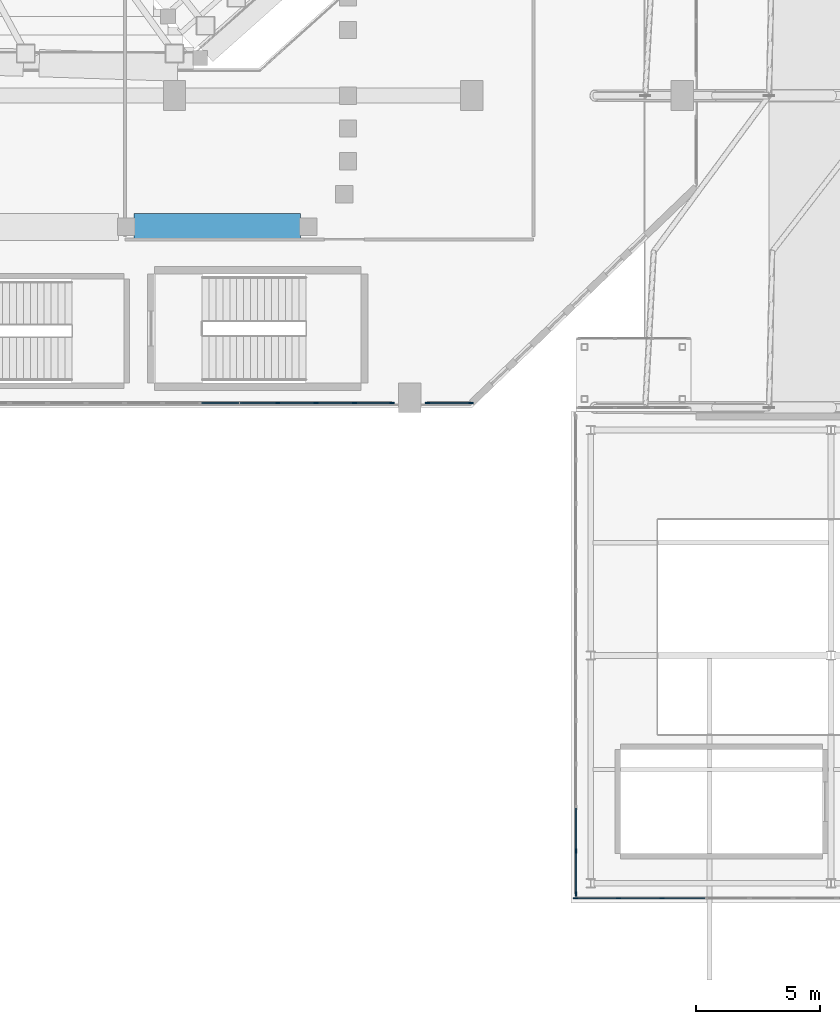
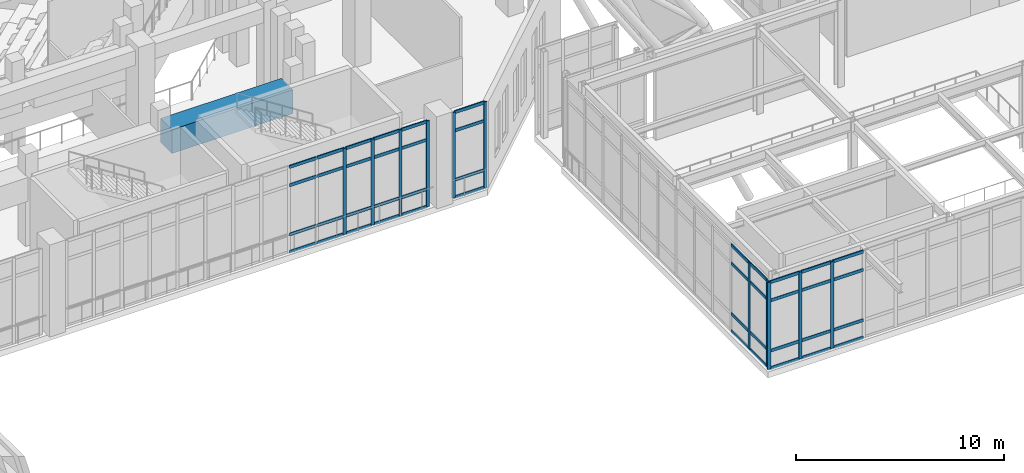
# One storey, part 33 of 159: 55 members, 1 beam, 4 elements without a shape of their own.
"""IFC4 building model written with IfcOpenShell, lengths in metres."""

from ifc_helpers import new_model, si_unit, derived_unit, direction, frame, origin, origin_2d, place, context, subcontext, project, spatial, rectangle, extrude, material, layer, layer_set, material_profile, profile_set, type_object, element, aggregate, save


model = new_model("IFC4")

# Units and contexts
model_context = context("Model", 3, precision=1e-05, world=origin(), true_north=direction((0.0, 1.0)))
body_context = subcontext(model_context, "Body", "Model", "MODEL_VIEW")
ifc_project = project(units=[si_unit("LENGTHUNIT", "METRE"), si_unit("AREAUNIT", "SQUARE_METRE"), si_unit("VOLUMEUNIT", "CUBIC_METRE"), si_unit("PLANEANGLEUNIT", "RADIAN"), si_unit("MASSUNIT", "GRAM", prefix="KILO"), derived_unit("THERMALTRANSMITTANCEUNIT", [(si_unit("MASSUNIT", "GRAM", prefix="KILO"), 1), (si_unit("TIMEUNIT", "SECOND"), -3), (si_unit("THERMODYNAMICTEMPERATUREUNIT", "KELVIN"), -1)])], contexts=[model_context])

# Site, building, storey
site_placement = place(None, origin())
site = spatial("IfcSite", under=ifc_project, at=site_placement, CompositionType="ELEMENT")
building_placement = place(site_placement, origin())
building = spatial("IfcBuilding", under=site, at=building_placement, Name="Valcora Ridge Arena", CompositionType="ELEMENT")
storey_placement = place(building_placement, frame((0.0, 0.0, 6.0)))
storey = spatial("IfcBuildingStorey", under=building, at=storey_placement, Name="L01", CompositionType="ELEMENT", Elevation=6.0)

# Beam
ifc_material_1 = material(Name="Concrete C45/55", Category="concrete")
ifc_material_profile_1 = material_profile(ifc_material_1, rectangle(XDim=1.10009765625, YDim=1.39990234375, at=origin_2d()), Name="RC 1100x1400")
ifc_profile_set_1 = profile_set([ifc_material_profile_1], Name="Concrete C45/55")
beam_type = type_object("IfcBeamType", Name="TY-BEAM-RKR-URING-1200", PredefinedType="USERDEFINED", material=ifc_profile_set_1)
beam_placement = place(storey_placement, frame((80.3701171875, 27.300048828125, 3.47509765625), z_axis=(1.0, 0.0, 0.0), x_axis=(0.0, 1.0, 0.0)))
element("IfcBeam", 1, at=beam_placement, inside=storey, type_object=beam_type, Name="RKR-URING-1200 BEM-RU2-RKR-URING-1200-0008", ObjectType="RAKER", PredefinedType="USERDEFINED", context=body_context, shape_type="SweptSolid", body=[
    extrude(rectangle(XDim=1.10009765625, YDim=1.39990234375, at=origin_2d()), origin(), (0.0, 0.0, 1.0), 6.7099609375),
])

# Curtain wall, members
ifc_material_2 = material(Name="Anodised dark bronze architectural aluminium 6063-T6", Category="aluminium")
ifc_layer_1 = layer(ifc_material_2, 0.179931640625, Name="Anodised dark bronze architectural aluminium 6063-T6")
ifc_layer_set_1 = layer_set([ifc_layer_1], Name="Anodised dark bronze architectural aluminium 6063-T6")
curtain_wall_type_1 = type_object("IfcCurtainWallType", Name="TY-CURTAINWALL-CW-V3-LANCET-335X51", PredefinedType="NOTDEFINED", material=ifc_layer_set_1)
curtain_wall_1_placement = place(storey_placement, origin())
curtain_wall_1 = element("IfcCurtainWall", 2, at=curtain_wall_1_placement, inside=storey, type_object=curtain_wall_type_1, Name="CW-V3-LANCET-335X51 CW-0011", PredefinedType="NOTDEFINED")
ifc_material_profile_2 = material_profile(ifc_material_2, rectangle(XDim=0.06005859375, YDim=0.179931640625, at=origin_2d()), Name="ALU MULLION 60x180")
ifc_profile_set_2 = profile_set([ifc_material_profile_2], Name="Anodised dark bronze architectural aluminium 6063-T6")
member_type_1 = type_object("IfcMemberType", Name="TY-MEM-CWM-60x180", PredefinedType="MULLION", material=ifc_profile_set_2)
member_1_placement = place(storey_placement, frame((98.179931640625, 0.199951171875, 0.0), z_axis=(0.0, 0.0, 1.0), x_axis=(0.0, 1.0, 0.0)))
member_1 = element("IfcMember", 3, at=member_1_placement, type_object=member_type_1, Name="CW-0011/CWM-60x180/M00", PredefinedType="MULLION", context=body_context, shape_type="SweptSolid", body=[
    extrude(rectangle(XDim=0.06005859375, YDim=0.179931640625, at=origin_2d()), origin(), (0.0, 0.0, 1.0), 5.10009765625),
])
member_2_placement = place(storey_placement, frame((99.9130859375, 0.199951171875, 0.0), z_axis=(0.0, 0.0, 1.0), x_axis=(0.0, 1.0, 0.0)))
member_2 = element("IfcMember", 4, at=member_2_placement, type_object=member_type_1, Name="CW-0011/CWM-60x180/M01", PredefinedType="MULLION", context=body_context, shape_type="SweptSolid", body=[
    extrude(rectangle(XDim=0.06005859375, YDim=0.179931640625, at=origin_2d()), origin(), (0.0, 0.0, 1.0), 5.10009765625),
])
member_3_placement = place(storey_placement, frame((101.67626953125, 0.199951171875, 0.0), z_axis=(0.0, 0.0, 1.0), x_axis=(0.0, 1.0, 0.0)))
member_3 = element("IfcMember", 5, at=member_3_placement, type_object=member_type_1, Name="CW-0011/CWM-60x180/M02", PredefinedType="MULLION", context=body_context, shape_type="SweptSolid", body=[
    extrude(rectangle(XDim=0.06005859375, YDim=0.179931640625, at=origin_2d()), origin(), (0.0, 0.0, 1.0), 5.10009765625),
])

ifc_layer_2 = layer(ifc_material_2, 0.179931640625, Name="Anodised dark bronze architectural aluminium 6063-T6")
ifc_layer_set_2 = layer_set([ifc_layer_2], Name="Anodised dark bronze architectural aluminium 6063-T6")
curtain_wall_type_2 = type_object("IfcCurtainWallType", Name="TY-CURTAINWALL-CW-V3-LANCET-193X51", PredefinedType="NOTDEFINED", material=ifc_layer_set_2)
curtain_wall_2_placement = place(storey_placement, origin())
curtain_wall_2 = element("IfcCurtainWall", 6, at=curtain_wall_2_placement, inside=storey, type_object=curtain_wall_type_2, Name="CW-V3-LANCET-193X51 CW-0020", PredefinedType="NOTDEFINED")
member_4_placement = place(storey_placement, frame((98.199951171875, 0.3798828125, 0.0), z_axis=(0.0, 0.0, 1.0), x_axis=(-1.0, 0.0, 0.0)))
member_4 = element("IfcMember", 7, at=member_4_placement, type_object=member_type_1, Name="CW-0020/CWM-60x180/M00", PredefinedType="MULLION", context=body_context, shape_type="SweptSolid", body=[
    extrude(rectangle(XDim=0.06005859375, YDim=0.179931640625, at=origin_2d()), origin(), (0.0, 0.0, 1.0), 5.10009765625),
])
member_5_placement = place(storey_placement, frame((98.199951171875, 2.1044921875, 0.0), z_axis=(0.0, 0.0, 1.0), x_axis=(-1.0, 0.0, 0.0)))
member_5 = element("IfcMember", 8, at=member_5_placement, type_object=member_type_1, Name="CW-0020/CWM-60x180/M01", PredefinedType="MULLION", context=body_context, shape_type="SweptSolid", body=[
    extrude(rectangle(XDim=0.06005859375, YDim=0.179931640625, at=origin_2d()), origin(), (0.0, 0.0, 1.0), 5.10009765625),
])

ifc_layer_3 = layer(ifc_material_2, 0.179931640625, Name="Anodised dark bronze architectural aluminium 6063-T6")
ifc_layer_set_3 = layer_set([ifc_layer_3], Name="Anodised dark bronze architectural aluminium 6063-T6")
curtain_wall_type_3 = type_object("IfcCurtainWallType", Name="TY-CURTAINWALL-CW-V1-GOTH-201X50", PredefinedType="NOTDEFINED", material=ifc_layer_set_3)
curtain_wall_3_placement = place(storey_placement, origin())
curtain_wall_3 = element("IfcCurtainWall", 9, at=curtain_wall_3_placement, inside=storey, type_object=curtain_wall_type_3, Name="CW-V1-GOTH-201X50 CW-0100", PredefinedType="NOTDEFINED")
member_6_placement = place(storey_placement, frame((86.1669921875, 20.199951171875, 0.0), z_axis=(0.0, 0.0, 1.0), x_axis=(0.0, 1.0, 0.0)))
member_6 = element("IfcMember", 10, at=member_6_placement, type_object=member_type_1, Name="CW-0100/CWM-60x180/M10", PredefinedType="MULLION", context=body_context, shape_type="SweptSolid", body=[
    extrude(rectangle(XDim=0.06005859375, YDim=0.179931640625, at=origin_2d()), origin(), (0.0, 0.0, 1.0), 5.0400390625),
])
member_7_placement = place(storey_placement, frame((87.714599609375, 20.199951171875, 0.0), z_axis=(0.0, 0.0, 1.0), x_axis=(0.0, 1.0, 0.0)))
member_7 = element("IfcMember", 11, at=member_7_placement, type_object=member_type_1, Name="CW-0100/CWM-60x180/M11", PredefinedType="MULLION", context=body_context, shape_type="SweptSolid", body=[
    extrude(rectangle(XDim=0.06005859375, YDim=0.179931640625, at=origin_2d()), origin(), (0.0, 0.0, 1.0), 5.0400390625),
])
member_8_placement = place(storey_placement, frame((89.26220703125, 20.199951171875, 0.0), z_axis=(0.0, 0.0, 1.0), x_axis=(0.0, 1.0, 0.0)))
member_8 = element("IfcMember", 12, at=member_8_placement, type_object=member_type_1, Name="CW-0100/CWM-60x180/M12", PredefinedType="MULLION", context=body_context, shape_type="SweptSolid", body=[
    extrude(rectangle(XDim=0.06005859375, YDim=0.179931640625, at=origin_2d()), origin(), (0.0, 0.0, 1.0), 5.0400390625),
])
member_9_placement = place(storey_placement, frame((90.780029296875, 20.199951171875, 0.0), z_axis=(0.0, 0.0, 1.0), x_axis=(0.0, 1.0, 0.0)))
member_9 = element("IfcMember", 13, at=member_9_placement, type_object=member_type_1, Name="CW-0100/CWM-60x180/M13", PredefinedType="MULLION", context=body_context, shape_type="SweptSolid", body=[
    extrude(rectangle(XDim=0.06005859375, YDim=0.179931640625, at=origin_2d()), origin(), (0.0, 0.0, 1.0), 5.0400390625),
])

ifc_layer_4 = layer(ifc_material_2, 0.179931640625, Name="Anodised dark bronze architectural aluminium 6063-T6")
ifc_layer_set_4 = layer_set([ifc_layer_4], Name="Anodised dark bronze architectural aluminium 6063-T6")
curtain_wall_type_4 = type_object("IfcCurtainWallType", Name="TY-CURTAINWALL-CW-V1-GOTH-018X50", PredefinedType="NOTDEFINED", material=ifc_layer_set_4)
curtain_wall_4_placement = place(storey_placement, origin())
curtain_wall_4 = element("IfcCurtainWall", 14, at=curtain_wall_4_placement, inside=storey, type_object=curtain_wall_type_4, Name="CW-V1-GOTH-018X50 CW-0101", PredefinedType="NOTDEFINED")
member_10_placement = place(storey_placement, frame((92.219970703125, 20.199951171875, 0.0), z_axis=(0.0, 0.0, 1.0), x_axis=(0.0, 1.0, 0.0)))
member_10 = element("IfcMember", 15, at=member_10_placement, type_object=member_type_1, Name="CW-0101/CWM-60x180/M00", PredefinedType="MULLION", context=body_context, shape_type="SweptSolid", body=[
    extrude(rectangle(XDim=0.06005859375, YDim=0.179931640625, at=origin_2d()), origin(), (0.0, 0.0, 1.0), 5.0400390625),
])
member_11_placement = place(storey_placement, frame((93.969970703125, 20.199951171875, 0.0), z_axis=(0.0, 0.0, 1.0), x_axis=(0.0, 1.0, 0.0)))
member_11 = element("IfcMember", 16, at=member_11_placement, type_object=member_type_1, Name="CW-0101/CWM-60x180/M01", PredefinedType="MULLION", context=body_context, shape_type="SweptSolid", body=[
    extrude(rectangle(XDim=0.06005859375, YDim=0.179931640625, at=origin_2d()), origin(), (0.0, 0.0, 1.0), 5.0400390625),
])

# Member
ifc_material_profile_3 = material_profile(ifc_material_2, rectangle(XDim=0.06005859375, YDim=0.179931640625, at=origin_2d()), Name="ALU TRANSOM 60x180")
ifc_profile_set_3 = profile_set([ifc_material_profile_3], Name="Anodised dark bronze architectural aluminium 6063-T6")
member_type_2 = type_object("IfcMemberType", Name="TY-MEM-CWT-60x180", PredefinedType="USERDEFINED", material=ifc_profile_set_3)
member_12_placement = place(storey_placement, frame((98.2099609375, 0.199951171875, 0.030029296875), z_axis=(1.0, 0.0, 0.0), x_axis=(0.0, 1.0, 0.0)))
member_12 = element("IfcMember", 17, at=member_12_placement, type_object=member_type_2, Name="CW-0011/CWT-60x180/T00-00", ObjectType="TRANSOM", PredefinedType="USERDEFINED", context=body_context, shape_type="SweptSolid", body=[
    extrude(rectangle(XDim=0.06005859375, YDim=0.179931640625, at=origin_2d()), origin(), (0.0, 0.0, 1.0), 1.673095703125),
])

member_13_placement = place(storey_placement, frame((98.2099609375, 0.199951171875, 1.050048828125), z_axis=(1.0, 0.0, 0.0), x_axis=(0.0, 1.0, 0.0)))
member_13 = element("IfcMember", 18, at=member_13_placement, type_object=member_type_2, Name="CW-0011/CWT-60x180/T00-01", ObjectType="TRANSOM", PredefinedType="USERDEFINED", context=body_context, shape_type="SweptSolid", body=[
    extrude(rectangle(XDim=0.06005859375, YDim=0.179931640625, at=origin_2d()), origin(), (0.0, 0.0, 1.0), 1.673095703125),
])

member_14_placement = place(storey_placement, frame((98.2099609375, 0.199951171875, 4.0), z_axis=(1.0, 0.0, 0.0), x_axis=(0.0, 1.0, 0.0)))
member_14 = element("IfcMember", 19, at=member_14_placement, type_object=member_type_2, Name="CW-0011/CWT-60x180/T00-02", ObjectType="TRANSOM", PredefinedType="USERDEFINED", context=body_context, shape_type="SweptSolid", body=[
    extrude(rectangle(XDim=0.06005859375, YDim=0.179931640625, at=origin_2d()), origin(), (0.0, 0.0, 1.0), 1.673095703125),
])

member_15_placement = place(storey_placement, frame((98.2099609375, 0.199951171875, 5.070068359375), z_axis=(1.0, 0.0, 0.0), x_axis=(0.0, 1.0, 0.0)))
member_15 = element("IfcMember", 20, at=member_15_placement, type_object=member_type_2, Name="CW-0011/CWT-60x180/T00-03", ObjectType="TRANSOM", PredefinedType="USERDEFINED", context=body_context, shape_type="SweptSolid", body=[
    extrude(rectangle(XDim=0.06005859375, YDim=0.179931640625, at=origin_2d()), origin(), (0.0, 0.0, 1.0), 1.673095703125),
])

member_16_placement = place(storey_placement, frame((99.943115234375, 0.199951171875, 0.030029296875), z_axis=(1.0, 0.0, 0.0), x_axis=(0.0, 1.0, 0.0)))
member_16 = element("IfcMember", 21, at=member_16_placement, type_object=member_type_2, Name="CW-0011/CWT-60x180/T01-00", ObjectType="TRANSOM", PredefinedType="USERDEFINED", context=body_context, shape_type="SweptSolid", body=[
    extrude(rectangle(XDim=0.06005859375, YDim=0.179931640625, at=origin_2d()), origin(), (0.0, 0.0, 1.0), 1.702880859375),
])

member_17_placement = place(storey_placement, frame((99.943115234375, 0.199951171875, 1.050048828125), z_axis=(1.0, 0.0, 0.0), x_axis=(0.0, 1.0, 0.0)))
member_17 = element("IfcMember", 22, at=member_17_placement, type_object=member_type_2, Name="CW-0011/CWT-60x180/T01-01", ObjectType="TRANSOM", PredefinedType="USERDEFINED", context=body_context, shape_type="SweptSolid", body=[
    extrude(rectangle(XDim=0.06005859375, YDim=0.179931640625, at=origin_2d()), origin(), (0.0, 0.0, 1.0), 1.702880859375),
])

member_18_placement = place(storey_placement, frame((99.943115234375, 0.199951171875, 4.0), z_axis=(1.0, 0.0, 0.0), x_axis=(0.0, 1.0, 0.0)))
member_18 = element("IfcMember", 23, at=member_18_placement, type_object=member_type_2, Name="CW-0011/CWT-60x180/T01-02", ObjectType="TRANSOM", PredefinedType="USERDEFINED", context=body_context, shape_type="SweptSolid", body=[
    extrude(rectangle(XDim=0.06005859375, YDim=0.179931640625, at=origin_2d()), origin(), (0.0, 0.0, 1.0), 1.702880859375),
])

member_19_placement = place(storey_placement, frame((99.943115234375, 0.199951171875, 5.070068359375), z_axis=(1.0, 0.0, 0.0), x_axis=(0.0, 1.0, 0.0)))
member_19 = element("IfcMember", 24, at=member_19_placement, type_object=member_type_2, Name="CW-0011/CWT-60x180/T01-03", ObjectType="TRANSOM", PredefinedType="USERDEFINED", context=body_context, shape_type="SweptSolid", body=[
    extrude(rectangle(XDim=0.06005859375, YDim=0.179931640625, at=origin_2d()), origin(), (0.0, 0.0, 1.0), 1.702880859375),
])

member_20_placement = place(storey_placement, frame((101.7060546875, 0.199951171875, 0.030029296875), z_axis=(1.0, 0.0, 0.0), x_axis=(0.0, 1.0, 0.0)))
member_20 = element("IfcMember", 25, at=member_20_placement, type_object=member_type_2, Name="CW-0011/CWT-60x180/T02-00", ObjectType="TRANSOM", PredefinedType="USERDEFINED", context=body_context, shape_type="SweptSolid", body=[
    extrude(rectangle(XDim=0.06005859375, YDim=0.179931640625, at=origin_2d()), origin(), (0.0, 0.0, 1.0), 1.702880859375),
])

member_21_placement = place(storey_placement, frame((101.7060546875, 0.199951171875, 1.050048828125), z_axis=(1.0, 0.0, 0.0), x_axis=(0.0, 1.0, 0.0)))
member_21 = element("IfcMember", 26, at=member_21_placement, type_object=member_type_2, Name="CW-0011/CWT-60x180/T02-01", ObjectType="TRANSOM", PredefinedType="USERDEFINED", context=body_context, shape_type="SweptSolid", body=[
    extrude(rectangle(XDim=0.06005859375, YDim=0.179931640625, at=origin_2d()), origin(), (0.0, 0.0, 1.0), 1.702880859375),
])

member_22_placement = place(storey_placement, frame((101.7060546875, 0.199951171875, 4.0), z_axis=(1.0, 0.0, 0.0), x_axis=(0.0, 1.0, 0.0)))
member_22 = element("IfcMember", 27, at=member_22_placement, type_object=member_type_2, Name="CW-0011/CWT-60x180/T02-02", ObjectType="TRANSOM", PredefinedType="USERDEFINED", context=body_context, shape_type="SweptSolid", body=[
    extrude(rectangle(XDim=0.06005859375, YDim=0.179931640625, at=origin_2d()), origin(), (0.0, 0.0, 1.0), 1.702880859375),
])

member_23_placement = place(storey_placement, frame((101.7060546875, 0.199951171875, 5.070068359375), z_axis=(1.0, 0.0, 0.0), x_axis=(0.0, 1.0, 0.0)))
member_23 = element("IfcMember", 28, at=member_23_placement, type_object=member_type_2, Name="CW-0011/CWT-60x180/T02-03", ObjectType="TRANSOM", PredefinedType="USERDEFINED", context=body_context, shape_type="SweptSolid", body=[
    extrude(rectangle(XDim=0.06005859375, YDim=0.179931640625, at=origin_2d()), origin(), (0.0, 0.0, 1.0), 1.702880859375),
])

aggregate(curtain_wall_1, [member_1, member_2, member_3, member_12, member_13, member_14, member_15, member_16, member_17, member_18, member_19, member_20, member_21, member_22, member_23])

member_24_placement = place(storey_placement, frame((98.199951171875, 0.409912109375, 0.030029296875), z_axis=(0.0, 1.0, 0.0), x_axis=(-1.0, 0.0, 0.0)))
member_24 = element("IfcMember", 29, at=member_24_placement, type_object=member_type_2, Name="CW-0020/CWT-60x180/T00-00", ObjectType="TRANSOM", PredefinedType="USERDEFINED", context=body_context, shape_type="SweptSolid", body=[
    extrude(rectangle(XDim=0.06005859375, YDim=0.179931640625, at=origin_2d()), origin(), (0.0, 0.0, 1.0), 1.6650390625),
])

member_25_placement = place(storey_placement, frame((98.199951171875, 0.409912109375, 1.050048828125), z_axis=(0.0, 1.0, 0.0), x_axis=(-1.0, 0.0, 0.0)))
member_25 = element("IfcMember", 30, at=member_25_placement, type_object=member_type_2, Name="CW-0020/CWT-60x180/T00-01", ObjectType="TRANSOM", PredefinedType="USERDEFINED", context=body_context, shape_type="SweptSolid", body=[
    extrude(rectangle(XDim=0.06005859375, YDim=0.179931640625, at=origin_2d()), origin(), (0.0, 0.0, 1.0), 1.6650390625),
])

member_26_placement = place(storey_placement, frame((98.199951171875, 0.409912109375, 4.0), z_axis=(0.0, 1.0, 0.0), x_axis=(-1.0, 0.0, 0.0)))
member_26 = element("IfcMember", 31, at=member_26_placement, type_object=member_type_2, Name="CW-0020/CWT-60x180/T00-02", ObjectType="TRANSOM", PredefinedType="USERDEFINED", context=body_context, shape_type="SweptSolid", body=[
    extrude(rectangle(XDim=0.06005859375, YDim=0.179931640625, at=origin_2d()), origin(), (0.0, 0.0, 1.0), 1.6650390625),
])

member_27_placement = place(storey_placement, frame((98.199951171875, 0.409912109375, 5.070068359375), z_axis=(0.0, 1.0, 0.0), x_axis=(-1.0, 0.0, 0.0)))
member_27 = element("IfcMember", 32, at=member_27_placement, type_object=member_type_2, Name="CW-0020/CWT-60x180/T00-03", ObjectType="TRANSOM", PredefinedType="USERDEFINED", context=body_context, shape_type="SweptSolid", body=[
    extrude(rectangle(XDim=0.06005859375, YDim=0.179931640625, at=origin_2d()), origin(), (0.0, 0.0, 1.0), 1.6650390625),
])

member_28_placement = place(storey_placement, frame((98.199951171875, 2.135009765625, 0.030029296875), z_axis=(0.0, 1.0, 0.0), x_axis=(-1.0, 0.0, 0.0)))
member_28 = element("IfcMember", 33, at=member_28_placement, type_object=member_type_2, Name="CW-0020/CWT-60x180/T01-00", ObjectType="TRANSOM", PredefinedType="USERDEFINED", context=body_context, shape_type="SweptSolid", body=[
    extrude(rectangle(XDim=0.06005859375, YDim=0.179931640625, at=origin_2d()), origin(), (0.0, 0.0, 1.0), 1.694091796875),
])

member_29_placement = place(storey_placement, frame((98.199951171875, 2.135009765625, 1.050048828125), z_axis=(0.0, 1.0, 0.0), x_axis=(-1.0, 0.0, 0.0)))
member_29 = element("IfcMember", 34, at=member_29_placement, type_object=member_type_2, Name="CW-0020/CWT-60x180/T01-01", ObjectType="TRANSOM", PredefinedType="USERDEFINED", context=body_context, shape_type="SweptSolid", body=[
    extrude(rectangle(XDim=0.06005859375, YDim=0.179931640625, at=origin_2d()), origin(), (0.0, 0.0, 1.0), 1.694091796875),
])

member_30_placement = place(storey_placement, frame((98.199951171875, 2.135009765625, 4.0), z_axis=(0.0, 1.0, 0.0), x_axis=(-1.0, 0.0, 0.0)))
member_30 = element("IfcMember", 35, at=member_30_placement, type_object=member_type_2, Name="CW-0020/CWT-60x180/T01-02", ObjectType="TRANSOM", PredefinedType="USERDEFINED", context=body_context, shape_type="SweptSolid", body=[
    extrude(rectangle(XDim=0.06005859375, YDim=0.179931640625, at=origin_2d()), origin(), (0.0, 0.0, 1.0), 1.694091796875),
])

member_31_placement = place(storey_placement, frame((98.199951171875, 2.135009765625, 5.070068359375), z_axis=(0.0, 1.0, 0.0), x_axis=(-1.0, 0.0, 0.0)))
member_31 = element("IfcMember", 36, at=member_31_placement, type_object=member_type_2, Name="CW-0020/CWT-60x180/T01-03", ObjectType="TRANSOM", PredefinedType="USERDEFINED", context=body_context, shape_type="SweptSolid", body=[
    extrude(rectangle(XDim=0.06005859375, YDim=0.179931640625, at=origin_2d()), origin(), (0.0, 0.0, 1.0), 1.694091796875),
])

aggregate(curtain_wall_2, [member_4, member_5, member_24, member_25, member_26, member_27, member_28, member_29, member_30, member_31])

member_32_placement = place(storey_placement, frame((83.10205078125, 20.199951171875, 0.030029296875), z_axis=(1.0, 0.0, 0.0), x_axis=(0.0, 1.0, 0.0)))
member_32 = element("IfcMember", 37, at=member_32_placement, type_object=member_type_2, Name="CW-0100/CWT-60x180/T08-00", ObjectType="TRANSOM", PredefinedType="USERDEFINED", context=body_context, shape_type="SweptSolid", body=[
    extrude(rectangle(XDim=0.06005859375, YDim=0.179931640625, at=origin_2d()), origin(), (0.0, 0.0, 1.0), 1.487060546875),
])

member_33_placement = place(storey_placement, frame((83.10205078125, 20.199951171875, 1.050048828125), z_axis=(1.0, 0.0, 0.0), x_axis=(0.0, 1.0, 0.0)))
member_33 = element("IfcMember", 38, at=member_33_placement, type_object=member_type_2, Name="CW-0100/CWT-60x180/T08-01", ObjectType="TRANSOM", PredefinedType="USERDEFINED", context=body_context, shape_type="SweptSolid", body=[
    extrude(rectangle(XDim=0.06005859375, YDim=0.179931640625, at=origin_2d()), origin(), (0.0, 0.0, 1.0), 1.487060546875),
])

member_34_placement = place(storey_placement, frame((83.10205078125, 20.199951171875, 3.93994140625), z_axis=(1.0, 0.0, 0.0), x_axis=(0.0, 1.0, 0.0)))
member_34 = element("IfcMember", 39, at=member_34_placement, type_object=member_type_2, Name="CW-0100/CWT-60x180/T08-02", ObjectType="TRANSOM", PredefinedType="USERDEFINED", context=body_context, shape_type="SweptSolid", body=[
    extrude(rectangle(XDim=0.06005859375, YDim=0.179931640625, at=origin_2d()), origin(), (0.0, 0.0, 1.0), 1.487060546875),
])

member_35_placement = place(storey_placement, frame((83.10205078125, 20.199951171875, 5.010009765625), z_axis=(1.0, 0.0, 0.0), x_axis=(0.0, 1.0, 0.0)))
member_35 = element("IfcMember", 40, at=member_35_placement, type_object=member_type_2, Name="CW-0100/CWT-60x180/T08-03", ObjectType="TRANSOM", PredefinedType="USERDEFINED", context=body_context, shape_type="SweptSolid", body=[
    extrude(rectangle(XDim=0.06005859375, YDim=0.179931640625, at=origin_2d()), origin(), (0.0, 0.0, 1.0), 1.487060546875),
])

member_36_placement = place(storey_placement, frame((84.64892578125, 20.199951171875, 0.030029296875), z_axis=(1.0, 0.0, 0.0), x_axis=(0.0, 1.0, 0.0)))
member_36 = element("IfcMember", 41, at=member_36_placement, type_object=member_type_2, Name="CW-0100/CWT-60x180/T09-00", ObjectType="TRANSOM", PredefinedType="USERDEFINED", context=body_context, shape_type="SweptSolid", body=[
    extrude(rectangle(XDim=0.06005859375, YDim=0.179931640625, at=origin_2d()), origin(), (0.0, 0.0, 1.0), 1.488037109375),
])

member_37_placement = place(storey_placement, frame((84.64892578125, 20.199951171875, 1.050048828125), z_axis=(1.0, 0.0, 0.0), x_axis=(0.0, 1.0, 0.0)))
member_37 = element("IfcMember", 42, at=member_37_placement, type_object=member_type_2, Name="CW-0100/CWT-60x180/T09-01", ObjectType="TRANSOM", PredefinedType="USERDEFINED", context=body_context, shape_type="SweptSolid", body=[
    extrude(rectangle(XDim=0.06005859375, YDim=0.179931640625, at=origin_2d()), origin(), (0.0, 0.0, 1.0), 1.488037109375),
])

member_38_placement = place(storey_placement, frame((84.64892578125, 20.199951171875, 3.93994140625), z_axis=(1.0, 0.0, 0.0), x_axis=(0.0, 1.0, 0.0)))
member_38 = element("IfcMember", 43, at=member_38_placement, type_object=member_type_2, Name="CW-0100/CWT-60x180/T09-02", ObjectType="TRANSOM", PredefinedType="USERDEFINED", context=body_context, shape_type="SweptSolid", body=[
    extrude(rectangle(XDim=0.06005859375, YDim=0.179931640625, at=origin_2d()), origin(), (0.0, 0.0, 1.0), 1.488037109375),
])

member_39_placement = place(storey_placement, frame((84.64892578125, 20.199951171875, 5.010009765625), z_axis=(1.0, 0.0, 0.0), x_axis=(0.0, 1.0, 0.0)))
member_39 = element("IfcMember", 44, at=member_39_placement, type_object=member_type_2, Name="CW-0100/CWT-60x180/T09-03", ObjectType="TRANSOM", PredefinedType="USERDEFINED", context=body_context, shape_type="SweptSolid", body=[
    extrude(rectangle(XDim=0.06005859375, YDim=0.179931640625, at=origin_2d()), origin(), (0.0, 0.0, 1.0), 1.488037109375),
])

member_40_placement = place(storey_placement, frame((86.197021484375, 20.199951171875, 0.030029296875), z_axis=(1.0, 0.0, 0.0), x_axis=(0.0, 1.0, 0.0)))
member_40 = element("IfcMember", 45, at=member_40_placement, type_object=member_type_2, Name="CW-0100/CWT-60x180/T10-00", ObjectType="TRANSOM", PredefinedType="USERDEFINED", context=body_context, shape_type="SweptSolid", body=[
    extrude(rectangle(XDim=0.06005859375, YDim=0.179931640625, at=origin_2d()), origin(), (0.0, 0.0, 1.0), 1.488037109375),
])

member_41_placement = place(storey_placement, frame((86.197021484375, 20.199951171875, 1.050048828125), z_axis=(1.0, 0.0, 0.0), x_axis=(0.0, 1.0, 0.0)))
member_41 = element("IfcMember", 46, at=member_41_placement, type_object=member_type_2, Name="CW-0100/CWT-60x180/T10-01", ObjectType="TRANSOM", PredefinedType="USERDEFINED", context=body_context, shape_type="SweptSolid", body=[
    extrude(rectangle(XDim=0.06005859375, YDim=0.179931640625, at=origin_2d()), origin(), (0.0, 0.0, 1.0), 1.488037109375),
])

member_42_placement = place(storey_placement, frame((86.197021484375, 20.199951171875, 3.93994140625), z_axis=(1.0, 0.0, 0.0), x_axis=(0.0, 1.0, 0.0)))
member_42 = element("IfcMember", 47, at=member_42_placement, type_object=member_type_2, Name="CW-0100/CWT-60x180/T10-02", ObjectType="TRANSOM", PredefinedType="USERDEFINED", context=body_context, shape_type="SweptSolid", body=[
    extrude(rectangle(XDim=0.06005859375, YDim=0.179931640625, at=origin_2d()), origin(), (0.0, 0.0, 1.0), 1.488037109375),
])

member_43_placement = place(storey_placement, frame((86.197021484375, 20.199951171875, 5.010009765625), z_axis=(1.0, 0.0, 0.0), x_axis=(0.0, 1.0, 0.0)))
member_43 = element("IfcMember", 48, at=member_43_placement, type_object=member_type_2, Name="CW-0100/CWT-60x180/T10-03", ObjectType="TRANSOM", PredefinedType="USERDEFINED", context=body_context, shape_type="SweptSolid", body=[
    extrude(rectangle(XDim=0.06005859375, YDim=0.179931640625, at=origin_2d()), origin(), (0.0, 0.0, 1.0), 1.488037109375),
])

member_44_placement = place(storey_placement, frame((87.7451171875, 20.199951171875, 0.030029296875), z_axis=(1.0, 0.0, 0.0), x_axis=(0.0, 1.0, 0.0)))
member_44 = element("IfcMember", 49, at=member_44_placement, type_object=member_type_2, Name="CW-0100/CWT-60x180/T11-00", ObjectType="TRANSOM", PredefinedType="USERDEFINED", context=body_context, shape_type="SweptSolid", body=[
    extrude(rectangle(XDim=0.06005859375, YDim=0.179931640625, at=origin_2d()), origin(), (0.0, 0.0, 1.0), 1.48681640625),
])

member_45_placement = place(storey_placement, frame((87.7451171875, 20.199951171875, 1.050048828125), z_axis=(1.0, 0.0, 0.0), x_axis=(0.0, 1.0, 0.0)))
member_45 = element("IfcMember", 50, at=member_45_placement, type_object=member_type_2, Name="CW-0100/CWT-60x180/T11-01", ObjectType="TRANSOM", PredefinedType="USERDEFINED", context=body_context, shape_type="SweptSolid", body=[
    extrude(rectangle(XDim=0.06005859375, YDim=0.179931640625, at=origin_2d()), origin(), (0.0, 0.0, 1.0), 1.48681640625),
])

member_46_placement = place(storey_placement, frame((87.7451171875, 20.199951171875, 3.93994140625), z_axis=(1.0, 0.0, 0.0), x_axis=(0.0, 1.0, 0.0)))
member_46 = element("IfcMember", 51, at=member_46_placement, type_object=member_type_2, Name="CW-0100/CWT-60x180/T11-02", ObjectType="TRANSOM", PredefinedType="USERDEFINED", context=body_context, shape_type="SweptSolid", body=[
    extrude(rectangle(XDim=0.06005859375, YDim=0.179931640625, at=origin_2d()), origin(), (0.0, 0.0, 1.0), 1.48681640625),
])

member_47_placement = place(storey_placement, frame((87.7451171875, 20.199951171875, 5.010009765625), z_axis=(1.0, 0.0, 0.0), x_axis=(0.0, 1.0, 0.0)))
member_47 = element("IfcMember", 52, at=member_47_placement, type_object=member_type_2, Name="CW-0100/CWT-60x180/T11-03", ObjectType="TRANSOM", PredefinedType="USERDEFINED", context=body_context, shape_type="SweptSolid", body=[
    extrude(rectangle(XDim=0.06005859375, YDim=0.179931640625, at=origin_2d()), origin(), (0.0, 0.0, 1.0), 1.48681640625),
])

member_48_placement = place(storey_placement, frame((89.2919921875, 20.199951171875, 0.030029296875), z_axis=(1.0, 0.0, 0.0), x_axis=(0.0, 1.0, 0.0)))
member_48 = element("IfcMember", 53, at=member_48_placement, type_object=member_type_2, Name="CW-0100/CWT-60x180/T12-00", ObjectType="TRANSOM", PredefinedType="USERDEFINED", context=body_context, shape_type="SweptSolid", body=[
    extrude(rectangle(XDim=0.06005859375, YDim=0.179931640625, at=origin_2d()), origin(), (0.0, 0.0, 1.0), 1.4580078125),
])

member_49_placement = place(storey_placement, frame((89.2919921875, 20.199951171875, 1.050048828125), z_axis=(1.0, 0.0, 0.0), x_axis=(0.0, 1.0, 0.0)))
member_49 = element("IfcMember", 54, at=member_49_placement, type_object=member_type_2, Name="CW-0100/CWT-60x180/T12-01", ObjectType="TRANSOM", PredefinedType="USERDEFINED", context=body_context, shape_type="SweptSolid", body=[
    extrude(rectangle(XDim=0.06005859375, YDim=0.179931640625, at=origin_2d()), origin(), (0.0, 0.0, 1.0), 1.4580078125),
])

member_50_placement = place(storey_placement, frame((89.2919921875, 20.199951171875, 3.93994140625), z_axis=(1.0, 0.0, 0.0), x_axis=(0.0, 1.0, 0.0)))
member_50 = element("IfcMember", 55, at=member_50_placement, type_object=member_type_2, Name="CW-0100/CWT-60x180/T12-02", ObjectType="TRANSOM", PredefinedType="USERDEFINED", context=body_context, shape_type="SweptSolid", body=[
    extrude(rectangle(XDim=0.06005859375, YDim=0.179931640625, at=origin_2d()), origin(), (0.0, 0.0, 1.0), 1.4580078125),
])

member_51_placement = place(storey_placement, frame((89.2919921875, 20.199951171875, 5.010009765625), z_axis=(1.0, 0.0, 0.0), x_axis=(0.0, 1.0, 0.0)))
member_51 = element("IfcMember", 56, at=member_51_placement, type_object=member_type_2, Name="CW-0100/CWT-60x180/T12-03", ObjectType="TRANSOM", PredefinedType="USERDEFINED", context=body_context, shape_type="SweptSolid", body=[
    extrude(rectangle(XDim=0.06005859375, YDim=0.179931640625, at=origin_2d()), origin(), (0.0, 0.0, 1.0), 1.4580078125),
])

aggregate(curtain_wall_3, [member_6, member_7, member_8, member_9, member_32, member_33, member_34, member_35, member_36, member_37, member_38, member_39, member_40, member_41, member_42, member_43, member_44, member_45, member_46, member_47, member_48, member_49, member_50, member_51])

member_52_placement = place(storey_placement, frame((92.25, 20.199951171875, 0.030029296875), z_axis=(1.0, 0.0, 0.0), x_axis=(0.0, 1.0, 0.0)))
member_52 = element("IfcMember", 57, at=member_52_placement, type_object=member_type_2, Name="CW-0101/CWT-60x180/T00-00", ObjectType="TRANSOM", PredefinedType="USERDEFINED", context=body_context, shape_type="SweptSolid", body=[
    extrude(rectangle(XDim=0.06005859375, YDim=0.179931640625, at=origin_2d()), origin(), (0.0, 0.0, 1.0), 1.68994140625),
])

member_53_placement = place(storey_placement, frame((92.25, 20.199951171875, 1.050048828125), z_axis=(1.0, 0.0, 0.0), x_axis=(0.0, 1.0, 0.0)))
member_53 = element("IfcMember", 58, at=member_53_placement, type_object=member_type_2, Name="CW-0101/CWT-60x180/T00-01", ObjectType="TRANSOM", PredefinedType="USERDEFINED", context=body_context, shape_type="SweptSolid", body=[
    extrude(rectangle(XDim=0.06005859375, YDim=0.179931640625, at=origin_2d()), origin(), (0.0, 0.0, 1.0), 1.68994140625),
])

member_54_placement = place(storey_placement, frame((92.25, 20.199951171875, 3.93994140625), z_axis=(1.0, 0.0, 0.0), x_axis=(0.0, 1.0, 0.0)))
member_54 = element("IfcMember", 59, at=member_54_placement, type_object=member_type_2, Name="CW-0101/CWT-60x180/T00-02", ObjectType="TRANSOM", PredefinedType="USERDEFINED", context=body_context, shape_type="SweptSolid", body=[
    extrude(rectangle(XDim=0.06005859375, YDim=0.179931640625, at=origin_2d()), origin(), (0.0, 0.0, 1.0), 1.68994140625),
])

member_55_placement = place(storey_placement, frame((92.25, 20.199951171875, 5.010009765625), z_axis=(1.0, 0.0, 0.0), x_axis=(0.0, 1.0, 0.0)))
member_55 = element("IfcMember", 60, at=member_55_placement, type_object=member_type_2, Name="CW-0101/CWT-60x180/T00-03", ObjectType="TRANSOM", PredefinedType="USERDEFINED", context=body_context, shape_type="SweptSolid", body=[
    extrude(rectangle(XDim=0.06005859375, YDim=0.179931640625, at=origin_2d()), origin(), (0.0, 0.0, 1.0), 1.68994140625),
])

aggregate(curtain_wall_4, [member_10, member_11, member_52, member_53, member_54, member_55])

save(model, "model.ifc")
